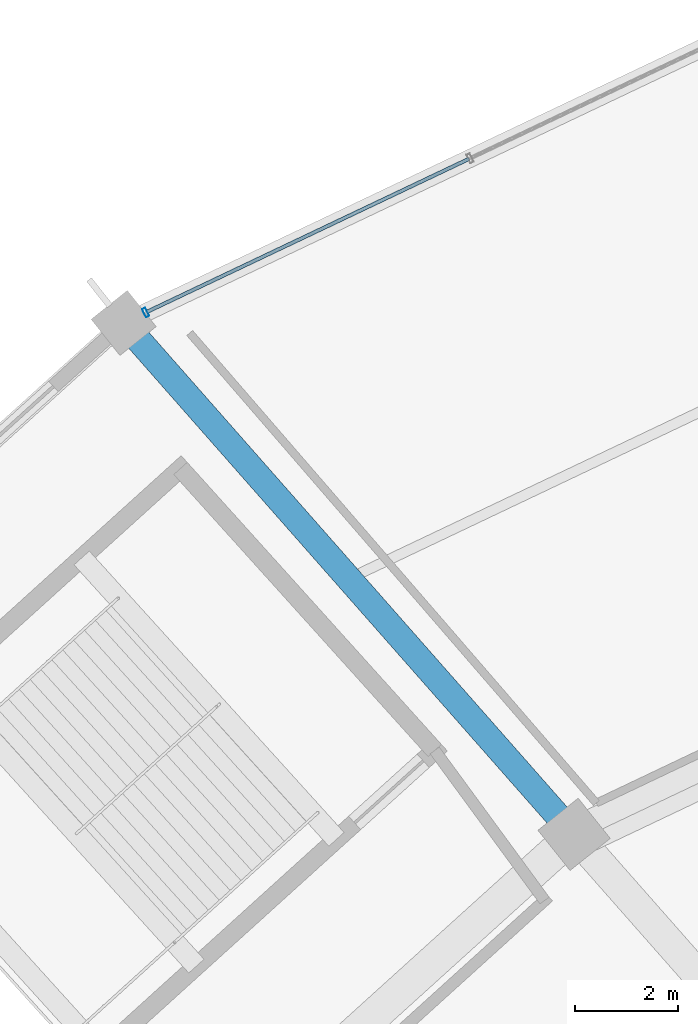
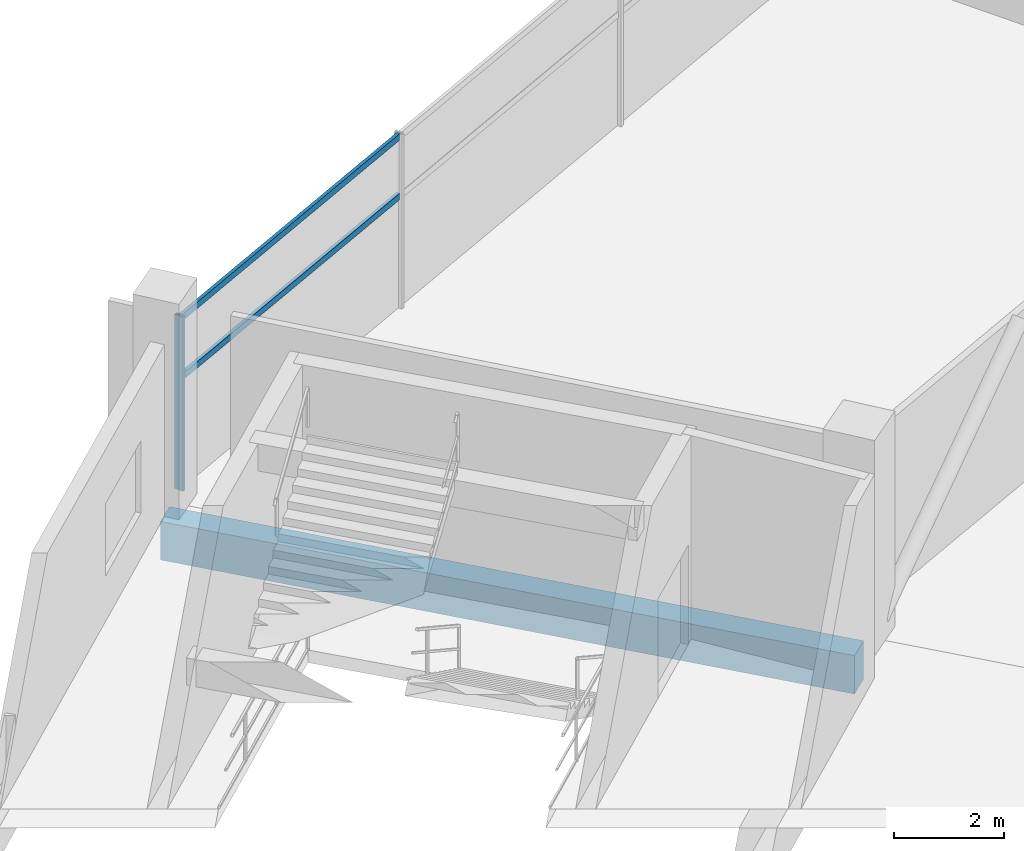
# One storey, part 70 of 156: 3 members, 1 beam, 1 element without a shape of its own.
"""IFC4 building model written with IfcOpenShell, lengths in metres."""

import ifcopenshell
import ifcopenshell.guid

model = None  # the IFC model being written
_history = None  # IfcOwnerHistory: only IFC2X3 demands one
_inside = {}  # id of a spatial element -> (the spatial element, [elements in it])
_under = {}  # id of a project, library or spatial element -> (it, [spatial elements below it])
_declared = {}  # id of a project -> (the project, [libraries it declares])
_typed = {}  # id of a type object -> (the type object, [elements of that type])
_made_of = {}  # id of a material, layer set ... -> (it, [elements and type objects made of it])


def new_model(schema):
    """Start an empty IFC model of exactly this schema.

    Asked for "IFC4X3", IfcOpenShell would pick the latest addendum, in which some entities
    have other attributes; the version numbers below select the first issue.
    IFC2X3 requires an IfcOwnerHistory on every rooted entity: one is made here for all.
    """
    global model, _history
    if schema == "IFC4X3":
        model = ifcopenshell.file(schema_version=(4, 3, 0, 0))
    else:
        model = ifcopenshell.file(schema=schema)
    _inside.clear()
    _under.clear()
    _declared.clear()
    _typed.clear()
    _made_of.clear()
    _history = None
    if model.schema == "IFC2X3":
        org = make("IfcOrganization", Name="unknown")
        user = make(
            "IfcPersonAndOrganization",
            ThePerson=make("IfcPerson", FamilyName="unknown"),
            TheOrganization=org,
        )
        app = make(
            "IfcApplication",
            ApplicationDeveloper=org,
            Version="unknown",
            ApplicationFullName="unknown",
            ApplicationIdentifier="unknown",
        )
        _history = make(
            "IfcOwnerHistory",
            OwningUser=user,
            OwningApplication=app,
            ChangeAction="ADDED",
            CreationDate=0,
        )
    return model


def make(cls, **values):
    """One entity of the class cls with the attributes given. An attribute that is None is left unset."""
    return model.create_entity(
        cls, **{name: value for name, value in values.items() if value is not None}
    )


def rooted(cls, **values):
    """An entity with a GlobalId (a new one), such as an element, a storey or a relation."""
    return make(cls, GlobalId=ifcopenshell.guid.new(), OwnerHistory=_history, **values)


def si_unit(unit_type, name, prefix=None):
    """IfcSIUnit, for example si_unit("LENGTHUNIT", "METRE", prefix="MILLI")."""
    return make("IfcSIUnit", UnitType=unit_type, Prefix=prefix, Name=name)


def assignment(units):
    """IfcUnitAssignment: the units of a project."""
    return None if units is None else make("IfcUnitAssignment", Units=units)


def point(xyz):
    """IfcCartesianPoint."""
    return None if xyz is None else make("IfcCartesianPoint", Coordinates=xyz)


def direction(xyz):
    """IfcDirection."""
    return None if xyz is None else make("IfcDirection", DirectionRatios=xyz)


def frame(location, z_axis=None, x_axis=None):
    """IfcAxis2Placement3D, a coordinate frame: its origin and axes. An axis left out is left unset."""
    return make(
        "IfcAxis2Placement3D",
        Location=point(location),
        Axis=direction(z_axis),
        RefDirection=direction(x_axis),
    )


def frame_2d(location, x_axis=None):
    """IfcAxis2Placement2D, a coordinate frame in the plane: its origin and x axis."""
    return make(
        "IfcAxis2Placement2D", Location=point(location), RefDirection=direction(x_axis)
    )


def origin():
    """The frame at (0, 0, 0) with its axes left unset."""
    return frame((0.0, 0.0, 0.0))


def origin_2d():
    """The frame at (0, 0) in the plane with its x axis left unset."""
    return frame_2d((0.0, 0.0))


def place(relative_to, where):
    """IfcLocalPlacement: puts the frame where relative to a parent placement (None: the world)."""
    return make(
        "IfcLocalPlacement", PlacementRelTo=relative_to, RelativePlacement=where
    )


def context(
    kind, dimensions, precision=None, world=None, true_north=None, identifier=None
):
    """IfcGeometricRepresentationContext, for example the 3D "Model" context."""
    return make(
        "IfcGeometricRepresentationContext",
        ContextIdentifier=identifier,
        ContextType=kind,
        CoordinateSpaceDimension=dimensions,
        Precision=precision,
        WorldCoordinateSystem=world,
        TrueNorth=true_north,
    )


def subcontext(parent, identifier, kind, view, scale=None):
    """IfcGeometricRepresentationSubContext, for example "Body" below "Model"."""
    return make(
        "IfcGeometricRepresentationSubContext",
        ContextIdentifier=identifier,
        ContextType=kind,
        ParentContext=parent,
        TargetScale=scale,
        TargetView=view,
    )


def project(units=None, contexts=None):
    """IfcProject with its units and contexts."""
    return rooted(
        "IfcProject",
        Name="project",
        RepresentationContexts=contexts,
        UnitsInContext=assignment(units),
    )


def spatial(cls, under=None, at=None, **own):
    """A site, building, storey or space (cls), placed at a placement, below another one or the project."""
    s = rooted(cls, ObjectPlacement=at, **own)
    if under is not None:
        _under.setdefault(under.id(), (under, []))[1].append(s)
    return s


def profile(cls, at=None, kind="AREA", **sizes):
    """A parametric profile (cls). Its sizes go by their IFC names, for example OverallWidth=200.0."""
    return make(cls, ProfileType=kind, Position=at, **sizes)


def rectangle(**sizes):
    """IfcRectangleProfileDef."""
    return profile("IfcRectangleProfileDef", **sizes)


def hollow_rectangle(**sizes):
    """IfcRectangleHollowProfileDef."""
    return profile("IfcRectangleHollowProfileDef", **sizes)


def extrude(swept, where, along, depth):
    """IfcExtrudedAreaSolid: the profile swept, set in the frame where, extruded along a direction by depth."""
    return make(
        "IfcExtrudedAreaSolid",
        SweptArea=swept,
        Position=where,
        ExtrudedDirection=direction(along),
        Depth=depth,
    )


def shape(context_of_items, identifier, shape_type, items):
    """IfcShapeRepresentation: the items that make up one representation, for example the "Body"."""
    return make(
        "IfcShapeRepresentation",
        ContextOfItems=context_of_items,
        RepresentationIdentifier=identifier,
        RepresentationType=shape_type,
        Items=items,
    )


def material(Name=None, Category=None):
    """IfcMaterial."""
    return make("IfcMaterial", Name=Name, Category=Category)


def layer(
    of_material, thickness, ventilated=None, Name=None, Category=None, Priority=None
):
    """IfcMaterialLayer: one layer of a wall or slab, of a material (None: an air gap)."""
    return make(
        "IfcMaterialLayer",
        Material=of_material,
        LayerThickness=thickness,
        IsVentilated=ventilated,
        Name=Name,
        Category=Category,
        Priority=Priority,
    )


def layer_set(layers, Name=None):
    """IfcMaterialLayerSet."""
    return make("IfcMaterialLayerSet", MaterialLayers=layers, LayerSetName=Name)


def material_profile(
    of_material, cross_section, Name=None, Category=None, Priority=None
):
    """IfcMaterialProfile: a cross section and its material."""
    return make(
        "IfcMaterialProfile",
        Name=Name,
        Material=of_material,
        Profile=cross_section,
        Priority=Priority,
        Category=Category,
    )


def profile_set(profiles, Name=None, composite=None):
    """IfcMaterialProfileSet."""
    return make(
        "IfcMaterialProfileSet",
        Name=Name,
        MaterialProfiles=profiles,
        CompositeProfile=composite,
    )


def made_of(thing, what):
    """Note that an element or type object is made of a material, layer set ...; save() writes the relation."""
    if what is not None:
        _made_of.setdefault(what.id(), (what, []))[1].append(thing)
    return thing


def type_object(cls, material=None, **own):
    """A type object (cls), such as IfcWallType, which elements share."""
    return made_of(rooted(cls, **own), material)


def element(
    cls,
    number,
    at=None,
    inside=None,
    cuts=None,
    type_object=None,
    material=None,
    context=None,
    identifier="Body",
    shape_type=None,
    held_by="IfcProductDefinitionShape",
    body=None,
    shapes=None,
    **own,
):
    """One element of the class cls, such as IfcWall. Its Tag is "e" and its number.

    at: its placement. inside: the storey or other place that contains it. cuts: it is an
    opening in that element (IfcRelVoidsElement). A single representation is given by context,
    identifier, shape_type and body (its items); several are given by shapes. held_by: the class
    of the entity that holds the representations. save() writes the other relations.
    """
    e = rooted(cls, Tag="e%d" % number, ObjectPlacement=at, **own)
    if body is not None:
        shapes = [shape(context, identifier, shape_type, body)]
    if shapes is not None:
        e.Representation = make(held_by, Representations=shapes)
    if inside is not None:
        _inside.setdefault(inside.id(), (inside, []))[1].append(e)
    if cuts is not None:
        rooted(
            "IfcRelVoidsElement", RelatingBuildingElement=cuts, RelatedOpeningElement=e
        )
    if type_object is not None:
        _typed.setdefault(type_object.id(), (type_object, []))[1].append(e)
    return made_of(e, material)


def aggregate(whole, parts):
    """IfcRelAggregates: a whole, such as a stair, and the parts it consists of."""
    return rooted("IfcRelAggregates", RelatingObject=whole, RelatedObjects=parts)


def save(model, path):
    """Write the relations noted so far, then the file.

    IfcRelAggregates (storeys below a building ...), IfcRelContainedInSpatialStructure (elements
    in a storey), IfcRelDefinesByType, IfcRelAssociatesMaterial and IfcRelDeclares: one each for
    every whole, place, type object, material and project.
    """
    for whole, parts in _under.values():
        aggregate(whole, parts)
    for where, things in _inside.values():
        rooted(
            "IfcRelContainedInSpatialStructure",
            RelatedElements=things,
            RelatingStructure=where,
        )
    for kind, things in _typed.values():
        rooted("IfcRelDefinesByType", RelatedObjects=things, RelatingType=kind)
    for what, things in _made_of.values():
        rooted("IfcRelAssociatesMaterial", RelatedObjects=things, RelatingMaterial=what)
    for by, libraries in _declared.values():
        rooted("IfcRelDeclares", RelatingContext=by, RelatedDefinitions=libraries)
    model.write(path)


model = new_model("IFC4")

# Units and contexts
model_context = context("Model", 3, precision=1e-05, world=origin(), true_north=direction((0.0, 1.0)))
body_context = subcontext(model_context, "Body", "Model", "MODEL_VIEW")
ifc_project = project(units=[si_unit("LENGTHUNIT", "METRE"), si_unit("AREAUNIT", "SQUARE_METRE"), si_unit("VOLUMEUNIT", "CUBIC_METRE"), si_unit("PLANEANGLEUNIT", "RADIAN"), si_unit("MASSUNIT", "GRAM", prefix="KILO")], contexts=[model_context])

# Site, building, storey
site_placement = place(None, origin())
site = spatial("IfcSite", under=ifc_project, at=site_placement, CompositionType="ELEMENT")
building_placement = place(site_placement, origin())
building = spatial("IfcBuilding", under=site, at=building_placement, Name="Kazemori Nagisa Stadium", CompositionType="ELEMENT")
storey_placement = place(building_placement, frame((0.0, 0.0, 5.780029296875)))
storey = spatial("IfcBuildingStorey", under=building, at=storey_placement, Name="L01", CompositionType="ELEMENT", Elevation=5.780029296875)

# Beam
ifc_material_1 = material(Name="Concrete C40/50 (Fc42)", Category="concrete")
ifc_material_profile_1 = material_profile(ifc_material_1, rectangle(XDim=0.5, YDim=0.85009765625, at=origin_2d()), Name="RC-BM-500x850")
ifc_profile_set_1 = profile_set([ifc_material_profile_1], Name="Concrete C40/50 (Fc42)")
beam_type = type_object("IfcBeamType", Name="Beam_BG-RC500X850", PredefinedType="BEAM", material=ifc_profile_set_1)
beam_placement = place(storey_placement, frame((69.165771484375, 163.11083984375, -0.705078125), z_axis=(-0.661019680997, 0.750368563664, 0.0), x_axis=(-0.750368563664, -0.661019680997, 0.0)))
element("IfcBeam", 1, at=beam_placement, inside=storey, type_object=beam_type, Name="Radial girder BG-RC500X850 L01 R2-R3-11", PredefinedType="BEAM", context=body_context, shape_type="SweptSolid", body=[
    extrude(rectangle(XDim=0.5, YDim=0.85009765625, at=origin_2d()), origin(), (0.0, 0.0, 1.0), 13.2578125),
])

# Curtain wall, members
ifc_material_2 = material(Name="Anodised aluminium 6063-T5", Category="aluminium")
ifc_layer = layer(ifc_material_2, 0.179931640625, Name="Anodised aluminium 6063-T5", Category="aluminium")
ifc_layer_set = layer_set([ifc_layer], Name="Anodised aluminium 6063-T5")
curtain_wall_type = type_object("IfcCurtainWallType", Name="CW_L01R3_105", PredefinedType="USERDEFINED", material=ifc_layer_set)
curtain_wall_placement = place(storey_placement, origin())
curtain_wall = element("IfcCurtainWall", 2, at=curtain_wall_placement, inside=storey, type_object=curtain_wall_type, Name="Unitised curtain wall CW-L01R3-105 L01", ObjectType="UNITISED CURTAIN WALL", PredefinedType="USERDEFINED")
ifc_material_3 = material(Name="Aluminium 6063-T5 anodised", Category="aluminium")
ifc_material_profile_2 = material_profile(ifc_material_3, hollow_rectangle(XDim=0.070068359375, YDim=0.179931640625, WallThickness=0.00390625, at=origin_2d()), Name="ALU-MULL-70x180x4")
ifc_profile_set_2 = profile_set([ifc_material_profile_2], Name="Aluminium 6063-T5 anodised")
member_type_1 = type_object("IfcMemberType", Name="Mullion_M01", PredefinedType="MULLION", material=ifc_profile_set_2)
member_1_placement = place(storey_placement, frame((60.8310546875, 173.262939453125, 0.0), z_axis=(0.0, 0.0, 1.0), x_axis=(-0.903215892654, -0.429186499388, 0.0)))
member_1 = element("IfcMember", 3, at=member_1_placement, type_object=member_type_1, Name="Curtain wall mullion CW-L01R3-105-M4", PredefinedType="MULLION", context=body_context, shape_type="SweptSolid", body=[
    extrude(hollow_rectangle(XDim=0.070068359375, YDim=0.179931640625, WallThickness=0.00390625, at=origin_2d()), origin(), (0.0, 0.0, 1.0), 3.849853515625),
])
ifc_material_profile_3 = material_profile(ifc_material_3, hollow_rectangle(XDim=0.070068359375, YDim=0.139892578125, WallThickness=0.00390625, at=origin_2d()), Name="ALU-TRAN-70x140x4")
ifc_profile_set_3 = profile_set([ifc_material_profile_3], Name="Aluminium 6063-T5 anodised")
member_type_2 = type_object("IfcMemberType", Name="Transom_T01", PredefinedType="USERDEFINED", material=ifc_profile_set_3)
member_2_placement = place(storey_placement, frame((67.124755859375, 176.25341796875, 2.4638671875), z_axis=(-0.903221322461, -0.429175072264, 0.0), x_axis=(0.429175072264, -0.903221322461, 0.0)))
member_2 = element("IfcMember", 4, at=member_2_placement, type_object=member_type_2, Name="Curtain wall transom CW-L01R3-105-T3-mid", ObjectType="TRANSOM", PredefinedType="USERDEFINED", context=body_context, shape_type="SweptSolid", body=[
    extrude(hollow_rectangle(XDim=0.070068359375, YDim=0.139892578125, WallThickness=0.00390625, at=origin_2d()), origin(), (0.0, 0.0, 1.0), 6.947998046875),
])
member_3_placement = place(storey_placement, frame((67.124755859375, 176.25341796875, 3.780029296875), z_axis=(-0.903221322461, -0.429175072264, 0.0), x_axis=(0.429175072264, -0.903221322461, 0.0)))
member_3 = element("IfcMember", 5, at=member_3_placement, type_object=member_type_2, Name="Curtain wall transom CW-L01R3-105-T3-head", ObjectType="TRANSOM", PredefinedType="USERDEFINED", context=body_context, shape_type="SweptSolid", body=[
    extrude(hollow_rectangle(XDim=0.070068359375, YDim=0.139892578125, WallThickness=0.00390625, at=origin_2d()), origin(), (0.0, 0.0, 1.0), 6.947998046875),
])
aggregate(curtain_wall, [member_1, member_2, member_3])

save(model, "model.ifc")
